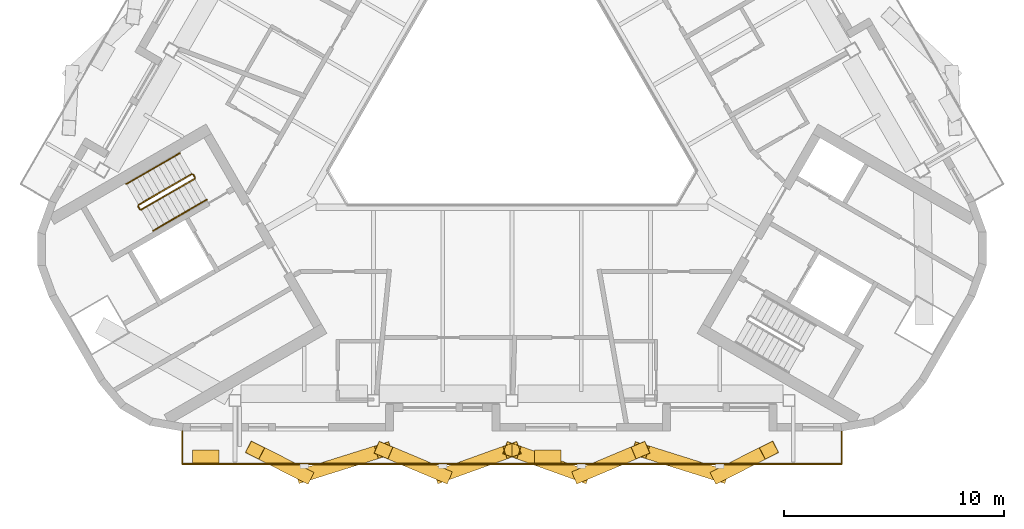
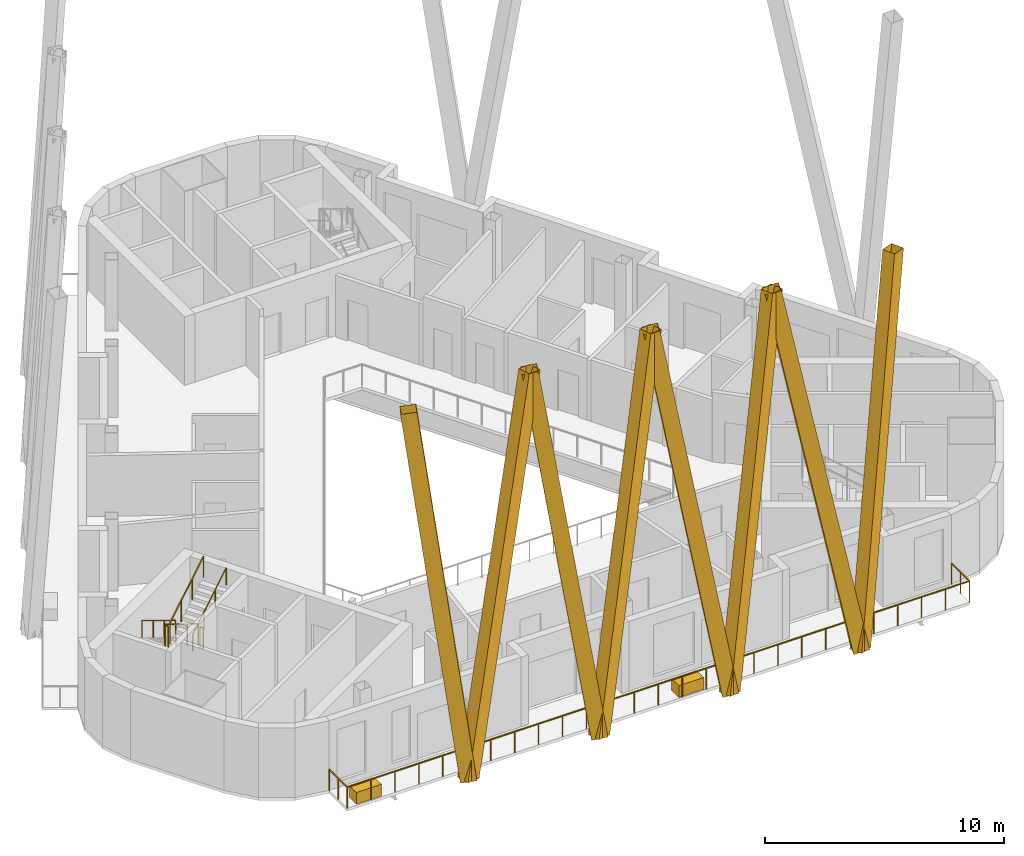
# One storey, part 8 of 12: 8 shading devices, 7 railings, 2 coverings.
"""IFC4 building model written with IfcOpenShell, lengths in metres."""

from ifc_helpers import new_model, si_unit, direction, frame, origin, origin_2d, place, context, subcontext, project, spatial, rectangle, hollow_rectangle, circle, extrude, material, material_profile, profile_set, type_object, element, save


model = new_model("IFC4")

# Units and contexts
model_context = context("Model", 3, precision=1e-05, world=origin(), true_north=direction((0.0, 1.0)))
body_context = subcontext(model_context, "Body", "Model", "MODEL_VIEW")
ifc_project = project(units=[si_unit("LENGTHUNIT", "METRE"), si_unit("AREAUNIT", "SQUARE_METRE"), si_unit("VOLUMEUNIT", "CUBIC_METRE"), si_unit("PLANEANGLEUNIT", "RADIAN"), si_unit("MASSUNIT", "GRAM", prefix="KILO")], contexts=[model_context])

# Site, building, storey
site_placement = place(None, origin())
site = spatial("IfcSite", under=ifc_project, at=site_placement, CompositionType="ELEMENT")
building_placement = place(site_placement, origin())
building = spatial("IfcBuilding", under=site, at=building_placement, Name="Apuvela Tower Hotel", CompositionType="ELEMENT")
storey_placement = place(building_placement, frame((0.0, 0.0, 324.39990234375)))
storey = spatial("IfcBuildingStorey", under=building, at=storey_placement, Name="L81", CompositionType="ELEMENT", Elevation=324.39990234375)

# Railings
ifc_material_1 = material(Name="Steel S275 balustrade", Category="steel")
railing_type_1 = type_object("IfcRailingType", Name="COR-GUARD-1100", PredefinedType="GUARDRAIL", material=ifc_material_1)
railing_1_placement = place(storey_placement, frame((-14.569091796875, -3.9658203125, 0.168212890625)))
element("IfcRailing", 1, at=railing_1_placement, inside=storey, type_object=railing_type_1, Name="L81 ST2 stair guard 1", PredefinedType="GUARDRAIL", context=body_context, shape_type="SweptSolid", body=[
    extrude(rectangle(XDim=0.048095703125, YDim=0.048095703125, at=origin_2d()), frame((0.0, 0.0, 1.076171875), z_axis=(-0.742390482028, -0.42860119049, 0.514934356695), x_axis=(0.49998411664, -0.866034573852, 0.0)), (0.0, 0.0, 1.0), 3.26611328125),
    extrude(rectangle(XDim=0.0419921875, YDim=0.0419921875, at=origin_2d()), origin(), (0.0, 0.0, 1.0), 1.052001953125),
    extrude(rectangle(XDim=0.0419921875, YDim=0.0419921875, at=origin_2d()), frame((-0.808349609375, -0.466552734375, 0.560546875)), (0.0, 0.0, 1.0), 1.052001953125),
    extrude(rectangle(XDim=0.0419921875, YDim=0.0419921875, at=origin_2d()), frame((-1.616455078125, -0.933349609375, 1.121337890625)), (0.0, 0.0, 1.0), 1.052001953125),
    extrude(rectangle(XDim=0.0419921875, YDim=0.0419921875, at=origin_2d()), frame((-2.4248046875, -1.39990234375, 1.681884765625)), (0.0, 0.0, 1.0), 1.052001953125),
])
railing_2_placement = place(storey_placement, frame((-17.01220703125, -5.43408203125, 1.85009765625)))
element("IfcRailing", 2, at=railing_2_placement, inside=storey, type_object=railing_type_1, Name="L81 ST2 stair guard 2", PredefinedType="GUARDRAIL", context=body_context, shape_type="SweptSolid", body=[
    extrude(rectangle(XDim=0.048095703125, YDim=0.048095703125, at=origin_2d()), frame((0.0, 0.0, 1.076171875), z_axis=(0.499816412211, -0.866131372301, 0.0), x_axis=(0.866131372301, 0.499816412211, 0.0)), (0.0, 0.0, 1.0), 0.14990234375),
    extrude(rectangle(XDim=0.0419921875, YDim=0.0419921875, at=origin_2d()), origin(), (0.0, 0.0, 1.0), 1.052001953125),
    extrude(rectangle(XDim=0.0419921875, YDim=0.0419921875, at=origin_2d()), frame((0.074951171875, -0.1298828125, 0.0)), (0.0, 0.0, 1.0), 1.052001953125),
])
railing_3_placement = place(storey_placement, frame((-16.868896484375, -5.582275390625, 2.018310546875)))
element("IfcRailing", 3, at=railing_3_placement, inside=storey, type_object=railing_type_1, Name="L81 ST2 stair guard 3", PredefinedType="GUARDRAIL", context=body_context, shape_type="SweptSolid", body=[
    extrude(rectangle(XDim=0.048095703125, YDim=0.048095703125, at=origin_2d()), frame((0.0, 0.0, 1.076171875), z_axis=(0.742390482028, 0.42860119049, 0.514934356695), x_axis=(-0.49998411664, 0.866034573852, 0.0)), (0.0, 0.0, 1.0), 3.26611328125),
    extrude(rectangle(XDim=0.0419921875, YDim=0.0419921875, at=origin_2d()), origin(), (0.0, 0.0, 1.0), 1.052001953125),
    extrude(rectangle(XDim=0.0419921875, YDim=0.0419921875, at=origin_2d()), frame((0.808349609375, 0.466552734375, 0.560546875)), (0.0, 0.0, 1.0), 1.052001953125),
    extrude(rectangle(XDim=0.0419921875, YDim=0.0419921875, at=origin_2d()), frame((1.616455078125, 0.933349609375, 1.121337890625)), (0.0, 0.0, 1.0), 1.052001953125),
    extrude(rectangle(XDim=0.0419921875, YDim=0.0419921875, at=origin_2d()), frame((2.4248046875, 1.39990234375, 1.681884765625)), (0.0, 0.0, 1.0), 1.052001953125),
])
railing_4_placement = place(storey_placement, frame((-14.500732421875, -3.984130859375, 0.0)))
element("IfcRailing", 4, at=railing_4_placement, inside=storey, type_object=railing_type_1, Name="L81 ST2 stair guard 4", PredefinedType="GUARDRAIL", context=body_context, shape_type="SweptSolid", body=[
    extrude(rectangle(XDim=0.048095703125, YDim=0.048095703125, at=origin_2d()), frame((0.0, 0.0, 1.076171875), z_axis=(0.499816412211, -0.866131372301, 0.0), x_axis=(0.866131372301, 0.499816412211, 0.0)), (0.0, 0.0, 1.0), 0.14990234375),
    extrude(rectangle(XDim=0.0419921875, YDim=0.0419921875, at=origin_2d()), origin(), (0.0, 0.0, 1.0), 1.052001953125),
    extrude(rectangle(XDim=0.0419921875, YDim=0.0419921875, at=origin_2d()), frame((0.074951171875, -0.1298828125, 0.0)), (0.0, 0.0, 1.0), 1.052001953125),
])
ifc_material_2 = material(Name="Stainless steel 316 handrail", Category="steel")
railing_type_2 = type_object("IfcRailingType", Name="COR-HANDRAIL-900", PredefinedType="HANDRAIL", material=ifc_material_2)
railing_5_placement = place(storey_placement, frame((-15.118896484375, -3.01318359375, 0.168212890625)))
element("IfcRailing", 5, at=railing_5_placement, inside=storey, type_object=railing_type_2, Name="L81 ST2 stair handrail 1", PredefinedType="HANDRAIL", context=body_context, shape_type="SweptSolid", body=[
    extrude(circle(Radius=0.02392578125, at=origin_2d()), frame((0.0, 0.0, 0.8759765625), z_axis=(-0.742424030051, -0.428577407461, 0.514905783049), x_axis=(0.49994636267, -0.866056369097, 0.0)), (0.0, 0.0, 1.0), 3.266357421875),
    extrude(rectangle(XDim=0.0419921875, YDim=0.0419921875, at=origin_2d()), origin(), (0.0, 0.0, 1.0), 0.851806640625),
    extrude(rectangle(XDim=0.0419921875, YDim=0.0419921875, at=origin_2d()), frame((-0.808349609375, -0.466552734375, 0.560546875)), (0.0, 0.0, 1.0), 0.851806640625),
    extrude(rectangle(XDim=0.0419921875, YDim=0.0419921875, at=origin_2d()), frame((-1.61669921875, -0.933349609375, 1.121337890625)), (0.0, 0.0, 1.0), 0.851806640625),
    extrude(rectangle(XDim=0.0419921875, YDim=0.0419921875, at=origin_2d()), frame((-2.425048828125, -1.39990234375, 1.681884765625)), (0.0, 0.0, 1.0), 0.851806640625),
])
railing_6_placement = place(storey_placement, frame((-16.31884765625, -6.534912109375, 2.018310546875)))
element("IfcRailing", 6, at=railing_6_placement, inside=storey, type_object=railing_type_2, Name="L81 ST2 stair handrail 2", PredefinedType="HANDRAIL", context=body_context, shape_type="SweptSolid", body=[
    extrude(circle(Radius=0.02392578125, at=origin_2d()), frame((0.0, 0.0, 0.8759765625), z_axis=(0.742390482028, 0.42860119049, 0.514934356695), x_axis=(-0.49998411664, 0.866034573852, 0.0)), (0.0, 0.0, 1.0), 3.26611328125),
    extrude(rectangle(XDim=0.0419921875, YDim=0.0419921875, at=origin_2d()), origin(), (0.0, 0.0, 1.0), 0.851806640625),
    extrude(rectangle(XDim=0.0419921875, YDim=0.0419921875, at=origin_2d()), frame((0.808349609375, 0.466552734375, 0.560546875)), (0.0, 0.0, 1.0), 0.851806640625),
    extrude(rectangle(XDim=0.0419921875, YDim=0.0419921875, at=origin_2d()), frame((1.616455078125, 0.933349609375, 1.121337890625)), (0.0, 0.0, 1.0), 0.851806640625),
    extrude(rectangle(XDim=0.0419921875, YDim=0.0419921875, at=origin_2d()), frame((2.4248046875, 1.39990234375, 1.681884765625)), (0.0, 0.0, 1.0), 0.851806640625),
])

# Shading devices
ifc_material_3 = material(Name="Aluminium 6063-T6, black anodised", Category="aluminium")
ifc_material_profile = material_profile(ifc_material_3, hollow_rectangle(XDim=0.60009765625, YDim=0.699951171875, WallThickness=0.011962890625, at=origin_2d()), Name="AL BOX 700x600x12")
ifc_profile_set = profile_set([ifc_material_profile], Name="Aluminium 6063-T6, black anodised")
shading_device_type = type_object("IfcShadingDeviceType", Name="ENV-FIN-700x600", PredefinedType="USERDEFINED", material=ifc_profile_set)
shading_device_1_placement = place(storey_placement, frame((-9.45361328125, -17.660400390625, -0.099853515625), z_axis=(-0.117398021652, 0.059492932875, 0.991301314157), x_axis=(-0.452032921822, -0.892001254253, 0.0)))
element("IfcShadingDevice", 7, at=shading_device_1_placement, inside=storey, type_object=shading_device_type, Name="Lattice fin S649", ObjectType="FIN", PredefinedType="USERDEFINED", context=body_context, shape_type="SweptSolid", body=[
    extrude(hollow_rectangle(XDim=0.60009765625, YDim=0.699951171875, WallThickness=0.011962890625, at=origin_2d()), origin(), (0.0, 0.0, 1.0), 19.065673828125),
])
shading_device_2_placement = place(storey_placement, frame((-9.45361328125, -17.660400390625, -0.099853515625), z_axis=(0.187172548593, 0.05884845779, 0.980562744586), x_axis=(-0.299932351537, 0.953960473238, 0.0)))
element("IfcShadingDevice", 8, at=shading_device_2_placement, inside=storey, type_object=shading_device_type, Name="Lattice fin S650", ObjectType="FIN", PredefinedType="USERDEFINED", context=body_context, shape_type="SweptSolid", body=[
    extrude(hollow_rectangle(XDim=0.60009765625, YDim=0.699951171875, WallThickness=0.011962890625, at=origin_2d()), origin(), (0.0, 0.0, 1.0), 19.274658203125),
])
shading_device_3_placement = place(storey_placement, frame((-3.151123046875, -17.660400390625, -0.099853515625), z_axis=(-0.140907893646, 0.059309483047, 0.98824458042), x_axis=(-0.387945007801, -0.921682521762, 0.0)))
element("IfcShadingDevice", 9, at=shading_device_3_placement, inside=storey, type_object=shading_device_type, Name="Lattice fin S651", ObjectType="FIN", PredefinedType="USERDEFINED", context=body_context, shape_type="SweptSolid", body=[
    extrude(hollow_rectangle(XDim=0.60009765625, YDim=0.699951171875, WallThickness=0.011962890625, at=origin_2d()), origin(), (0.0, 0.0, 1.0), 19.124755859375),
])
for number, where, z_axis, x_axis, name in (
    (10, (-3.151123046875, -17.660400390625, -0.099853515625), (0.164169436337, 0.059094382988, 0.984660474515), (-0.338685910018, 0.940899492165, 0.0), "Lattice fin S652"),
    (11, (3.151123046875, -17.660400390625, -0.099853515625), (-0.164169436337, 0.059094382988, 0.984660474515), (-0.338685910018, -0.940899492165, 0.0), "Lattice fin S653"),
):
    element("IfcShadingDevice", number, at=place(storey_placement, frame(where, z_axis=z_axis, x_axis=x_axis)), inside=storey, type_object=shading_device_type, Name=name, ObjectType="FIN", PredefinedType="USERDEFINED", context=body_context, shape_type="SweptSolid", body=[
        extrude(hollow_rectangle(XDim=0.60009765625, YDim=0.699951171875, WallThickness=0.011962890625, at=origin_2d()), origin(), (0.0, 0.0, 1.0), 19.1943359375),
    ])
shading_device_4_placement = place(storey_placement, frame((3.151123046875, -17.660400390625, -0.099853515625), z_axis=(0.140907893646, 0.059309483047, 0.98824458042), x_axis=(-0.387945007801, 0.921682521762, 0.0)))
element("IfcShadingDevice", 12, at=shading_device_4_placement, inside=storey, type_object=shading_device_type, Name="Lattice fin S654", ObjectType="FIN", PredefinedType="USERDEFINED", context=body_context, shape_type="SweptSolid", body=[
    extrude(hollow_rectangle(XDim=0.60009765625, YDim=0.699951171875, WallThickness=0.011962890625, at=origin_2d()), origin(), (0.0, 0.0, 1.0), 19.124755859375),
])
shading_device_5_placement = place(storey_placement, frame((9.45361328125, -17.660400390625, -0.099853515625), z_axis=(-0.187172548593, 0.05884845779, 0.980562744586), x_axis=(-0.299932351537, -0.953960473238, 0.0)))
element("IfcShadingDevice", 13, at=shading_device_5_placement, inside=storey, type_object=shading_device_type, Name="Lattice fin S655", ObjectType="FIN", PredefinedType="USERDEFINED", context=body_context, shape_type="SweptSolid", body=[
    extrude(hollow_rectangle(XDim=0.60009765625, YDim=0.699951171875, WallThickness=0.011962890625, at=origin_2d()), origin(), (0.0, 0.0, 1.0), 19.274658203125),
])
shading_device_6_placement = place(storey_placement, frame((9.45361328125, -17.660400390625, -0.099853515625), z_axis=(0.117398021652, 0.059492932875, 0.991301314157), x_axis=(-0.452032921822, 0.892001254253, 0.0)))
element("IfcShadingDevice", 14, at=shading_device_6_placement, inside=storey, type_object=shading_device_type, Name="Lattice fin S656", ObjectType="FIN", PredefinedType="USERDEFINED", context=body_context, shape_type="SweptSolid", body=[
    extrude(hollow_rectangle(XDim=0.60009765625, YDim=0.699951171875, WallThickness=0.011962890625, at=origin_2d()), origin(), (0.0, 0.0, 1.0), 19.065673828125),
])

# Railing
ifc_material_4 = material(Name="Stainless steel 316 rail with laminated glass infill", Category="steel")
railing_type_3 = type_object("IfcRailingType", Name="ENV-GUARD-1100", PredefinedType="GUARDRAIL", material=ifc_material_4)
railing_7_placement = place(storey_placement, frame((-15.010986328125, -15.660400390625, 0.0)))
element("IfcRailing", 15, at=railing_7_placement, inside=storey, type_object=railing_type_3, Name="Balcony guard S L81", PredefinedType="GUARDRAIL", context=body_context, shape_type="SweptSolid", body=[
    extrude(rectangle(XDim=0.050048828125, YDim=0.050048828125, at=origin_2d()), frame((0.0, 0.0, 1.0751953125), z_axis=(0.0, -1.0, 0.0), x_axis=(1.0, 0.0, 0.0)), (0.0, 0.0, 1.0), 1.5),
    extrude(rectangle(XDim=0.050048828125, YDim=0.050048828125, at=origin_2d()), frame((0.0, -1.5, 1.0751953125), z_axis=(1.0, 0.0, 0.0), x_axis=(0.0, 1.0, 0.0)), (0.0, 0.0, 1.0), 30.02197265625),
    extrude(rectangle(XDim=0.050048828125, YDim=0.050048828125, at=origin_2d()), frame((30.02197265625, -1.5, 1.0751953125), z_axis=(0.0, 1.0, 0.0), x_axis=(-1.0, 0.0, 0.0)), (0.0, 0.0, 1.0), 1.5),
    extrude(rectangle(XDim=0.0400390625, YDim=0.0400390625, at=origin_2d()), origin(), (0.0, 0.0, 1.0), 1.050048828125),
    extrude(rectangle(XDim=0.0400390625, YDim=0.0400390625, at=origin_2d()), frame((0.0, -0.75, 0.0)), (0.0, 0.0, 1.0), 1.050048828125),
    extrude(rectangle(XDim=0.0400390625, YDim=0.0400390625, at=origin_2d()), frame((0.0, -1.5, 0.0)), (0.0, 0.0, 1.0), 1.050048828125),
    extrude(rectangle(XDim=0.0400390625, YDim=0.0400390625, at=origin_2d()), frame((1.15478515625, -1.5, 0.0)), (0.0, 0.0, 1.0), 1.050048828125),
    extrude(rectangle(XDim=0.0400390625, YDim=0.0400390625, at=origin_2d()), frame((2.309326171875, -1.5, 0.0)), (0.0, 0.0, 1.0), 1.050048828125),
    extrude(rectangle(XDim=0.0400390625, YDim=0.0400390625, at=origin_2d()), frame((3.464111328125, -1.5, 0.0)), (0.0, 0.0, 1.0), 1.050048828125),
    extrude(rectangle(XDim=0.0400390625, YDim=0.0400390625, at=origin_2d()), frame((4.61865234375, -1.5, 0.0)), (0.0, 0.0, 1.0), 1.050048828125),
    extrude(rectangle(XDim=0.0400390625, YDim=0.0400390625, at=origin_2d()), frame((5.7734375, -1.5, 0.0)), (0.0, 0.0, 1.0), 1.050048828125),
    extrude(rectangle(XDim=0.0400390625, YDim=0.0400390625, at=origin_2d()), frame((6.92822265625, -1.5, 0.0)), (0.0, 0.0, 1.0), 1.050048828125),
    extrude(rectangle(XDim=0.0400390625, YDim=0.0400390625, at=origin_2d()), frame((8.082763671875, -1.5, 0.0)), (0.0, 0.0, 1.0), 1.050048828125),
    extrude(rectangle(XDim=0.0400390625, YDim=0.0400390625, at=origin_2d()), frame((9.237548828125, -1.5, 0.0)), (0.0, 0.0, 1.0), 1.050048828125),
    extrude(rectangle(XDim=0.0400390625, YDim=0.0400390625, at=origin_2d()), frame((10.392333984375, -1.5, 0.0)), (0.0, 0.0, 1.0), 1.050048828125),
    extrude(rectangle(XDim=0.0400390625, YDim=0.0400390625, at=origin_2d()), frame((11.546875, -1.5, 0.0)), (0.0, 0.0, 1.0), 1.050048828125),
    extrude(rectangle(XDim=0.0400390625, YDim=0.0400390625, at=origin_2d()), frame((12.70166015625, -1.5, 0.0)), (0.0, 0.0, 1.0), 1.050048828125),
    extrude(rectangle(XDim=0.0400390625, YDim=0.0400390625, at=origin_2d()), frame((13.856201171875, -1.5, 0.0)), (0.0, 0.0, 1.0), 1.050048828125),
    extrude(rectangle(XDim=0.0400390625, YDim=0.0400390625, at=origin_2d()), frame((15.010986328125, -1.5, 0.0)), (0.0, 0.0, 1.0), 1.050048828125),
    extrude(rectangle(XDim=0.0400390625, YDim=0.0400390625, at=origin_2d()), frame((16.165771484375, -1.5, 0.0)), (0.0, 0.0, 1.0), 1.050048828125),
    extrude(rectangle(XDim=0.0400390625, YDim=0.0400390625, at=origin_2d()), frame((17.3203125, -1.5, 0.0)), (0.0, 0.0, 1.0), 1.050048828125),
    extrude(rectangle(XDim=0.0400390625, YDim=0.0400390625, at=origin_2d()), frame((18.47509765625, -1.5, 0.0)), (0.0, 0.0, 1.0), 1.050048828125),
    extrude(rectangle(XDim=0.0400390625, YDim=0.0400390625, at=origin_2d()), frame((19.629638671875, -1.5, 0.0)), (0.0, 0.0, 1.0), 1.050048828125),
    extrude(rectangle(XDim=0.0400390625, YDim=0.0400390625, at=origin_2d()), frame((20.784423828125, -1.5, 0.0)), (0.0, 0.0, 1.0), 1.050048828125),
    extrude(rectangle(XDim=0.0400390625, YDim=0.0400390625, at=origin_2d()), frame((21.939208984375, -1.5, 0.0)), (0.0, 0.0, 1.0), 1.050048828125),
    extrude(rectangle(XDim=0.0400390625, YDim=0.0400390625, at=origin_2d()), frame((23.09375, -1.5, 0.0)), (0.0, 0.0, 1.0), 1.050048828125),
    extrude(rectangle(XDim=0.0400390625, YDim=0.0400390625, at=origin_2d()), frame((24.24853515625, -1.5, 0.0)), (0.0, 0.0, 1.0), 1.050048828125),
    extrude(rectangle(XDim=0.0400390625, YDim=0.0400390625, at=origin_2d()), frame((25.4033203125, -1.5, 0.0)), (0.0, 0.0, 1.0), 1.050048828125),
    extrude(rectangle(XDim=0.0400390625, YDim=0.0400390625, at=origin_2d()), frame((26.557861328125, -1.5, 0.0)), (0.0, 0.0, 1.0), 1.050048828125),
    extrude(rectangle(XDim=0.0400390625, YDim=0.0400390625, at=origin_2d()), frame((27.712646484375, -1.5, 0.0)), (0.0, 0.0, 1.0), 1.050048828125),
    extrude(rectangle(XDim=0.0400390625, YDim=0.0400390625, at=origin_2d()), frame((28.8671875, -1.5, 0.0)), (0.0, 0.0, 1.0), 1.050048828125),
    extrude(rectangle(XDim=0.0400390625, YDim=0.0400390625, at=origin_2d()), frame((30.02197265625, -1.5, 0.0)), (0.0, 0.0, 1.0), 1.050048828125),
    extrude(rectangle(XDim=0.0400390625, YDim=0.0400390625, at=origin_2d()), frame((30.02197265625, -0.75, 0.0)), (0.0, 0.0, 1.0), 1.050048828125),
    extrude(rectangle(XDim=0.0400390625, YDim=0.0400390625, at=origin_2d()), frame((30.02197265625, 0.0, 0.0)), (0.0, 0.0, 1.0), 1.050048828125),
])

# Coverings
ifc_material_5 = material(Name="Planting substrate and soil, planted")
covering_type = type_object("IfcCoveringType", Name="ENV-PLANTER-1200x600", PredefinedType="USERDEFINED", material=ifc_material_5)
for number, where, z_axis, x_axis, name in (
    (16, (-13.930419921875, -16.810302734375, 0.0), (0.0, 0.0, 1.0), (1.0, 0.0, 0.0), "Planter S1"),
    (17, (1.62548828125, -16.810302734375, 0.0), (0.0, 0.0, 1.0), (1.0, 0.0, 0.0), "Planter S2"),
):
    element("IfcCovering", number, at=place(storey_placement, frame(where, z_axis=z_axis, x_axis=x_axis)), inside=storey, type_object=covering_type, Name=name, ObjectType="PLANTER", PredefinedType="USERDEFINED", context=body_context, shape_type="SweptSolid", body=[
        extrude(rectangle(XDim=1.199951171875, YDim=0.60009765625, at=origin_2d()), origin(), (0.0, 0.0, 1.0), 0.60009765625),
    ])

save(model, "model.ifc")
